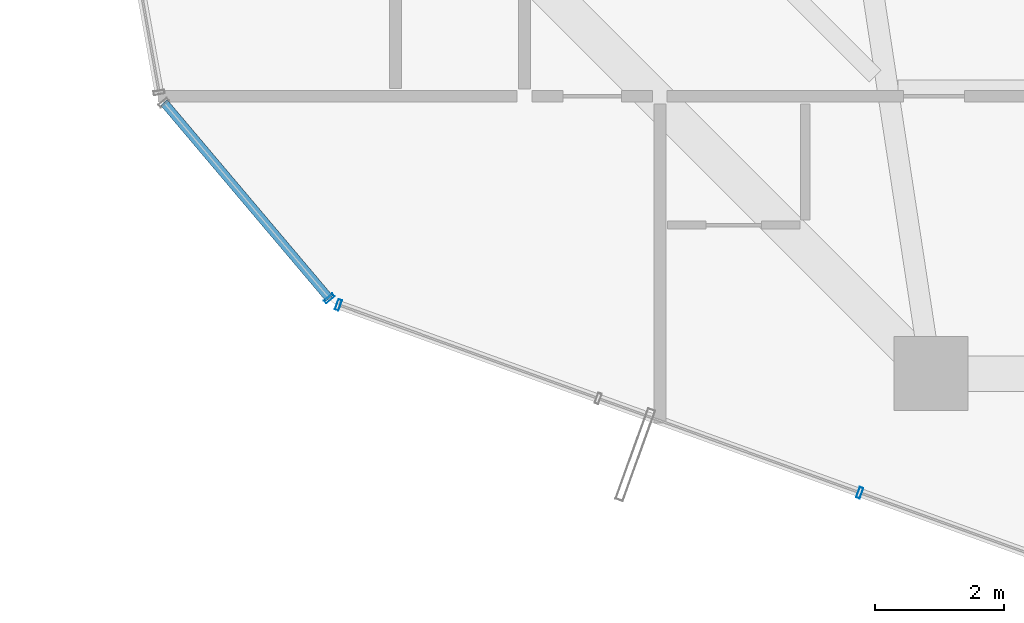
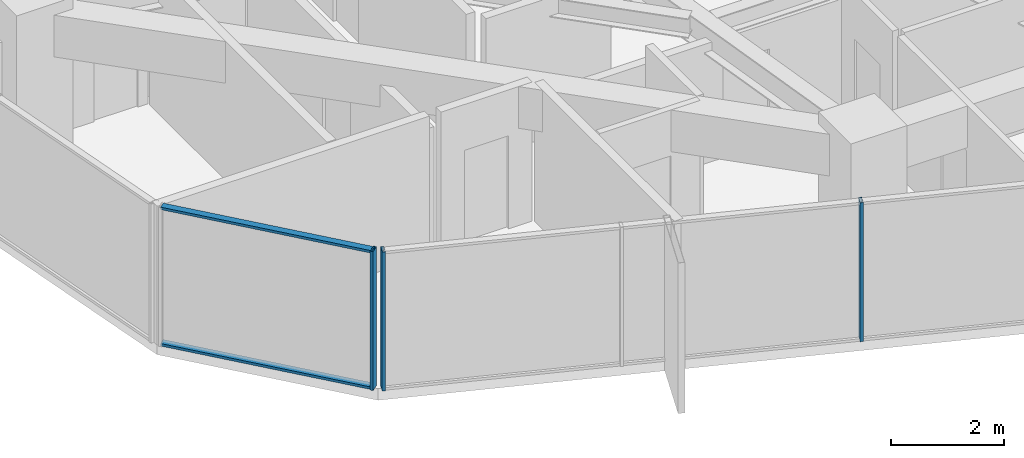
# One storey, part 2 of 36: 5 members, 2 elements without a shape of their own.
"""IFC4 building model written with IfcOpenShell, lengths in metres."""

from ifc_helpers import new_model, si_unit, direction, frame, origin, origin_2d, place, context, subcontext, project, spatial, hollow_rectangle, extrude, source, transform, mapped, material, layer, layer_set, material_profile, profile_set, type_object, element, aggregate, save


model = new_model("IFC4")

# Units and contexts
model_context = context("Model", 3, precision=1e-05, world=origin(), true_north=direction((0.0, 1.0)))
body_context = subcontext(model_context, "Body", "Model", "MODEL_VIEW")
ifc_project = project(units=[si_unit("LENGTHUNIT", "METRE"), si_unit("AREAUNIT", "SQUARE_METRE"), si_unit("VOLUMEUNIT", "CUBIC_METRE"), si_unit("PLANEANGLEUNIT", "RADIAN"), si_unit("MASSUNIT", "GRAM", prefix="KILO")], contexts=[model_context])

# Site, building, storey
site_placement = place(None, origin())
site = spatial("IfcSite", under=ifc_project, at=site_placement, CompositionType="ELEMENT")
building_placement = place(site_placement, origin())
building = spatial("IfcBuilding", under=site, at=building_placement, Name="Veraguas Prism Commons", CompositionType="ELEMENT")
storey_placement = place(building_placement, frame((0.0, 0.0, 163.050048828125)))
storey = spatial("IfcBuildingStorey", under=building, at=storey_placement, Name="L46", CompositionType="ELEMENT", Elevation=163.050048828125)

# Curtain wall, members
ifc_material = material(Name="Anodised aluminium EN AW-6063 T6", Category="aluminium")
ifc_layer = layer(ifc_material, 0.169921875, Name="Unitised Flush Curtain Wall Zone 2", Category="aluminium")
ifc_layer_set = layer_set([ifc_layer], Name="Anodised aluminium EN AW-6063 T6")
curtain_wall_type = type_object("IfcCurtainWallType", Name="Unitised Flush Curtain Wall Zone 2", PredefinedType="NOTDEFINED", material=ifc_layer_set)
curtain_wall_1_placement = place(storey_placement, origin())
curtain_wall_1 = element("IfcCurtainWall", 1, at=curtain_wall_1_placement, inside=storey, type_object=curtain_wall_type, Name="Tower Facade Curtain Wall L46-F4", PredefinedType="NOTDEFINED")
ifc_material_profile_1 = material_profile(ifc_material, hollow_rectangle(XDim=0.06005859375, YDim=0.169921875, WallThickness=0.00390625, at=origin_2d()), Name="AL60X170X4")
ifc_profile_set_1 = profile_set([ifc_material_profile_1], Name="Anodised aluminium EN AW-6063 T6")
member_type_1 = type_object("IfcMemberType", Name="Curtain Wall Mullion Lower AL 60x170x4", PredefinedType="MULLION", material=ifc_profile_set_1)
shared_shape_1 = source(origin(), body_context, "Body", "SweptSolid", [
    extrude(hollow_rectangle(XDim=0.06005859375, YDim=0.169921875, WallThickness=0.00390625, at=origin_2d()), origin(), (0.0, 0.0, 1.0), 3.0),
])
member_1_placement = place(storey_placement, frame((9.417236328125, 8.865478515625, 0.0), z_axis=(0.0, 0.0, 1.0), x_axis=(0.940760694435, -0.339071254763, 0.0)))
member_1 = element("IfcMember", 2, at=member_1_placement, type_object=member_type_1, Name="CW-Z2 Mullion 1", PredefinedType="MULLION", context=body_context, shape_type="MappedRepresentation", body=[
    mapped(shared_shape_1, transform((0.0, 0.0, 0.0), scale=1.0)),
])
member_2_placement = place(storey_placement, frame((17.495849609375, 5.953857421875, 0.0), z_axis=(0.0, 0.0, 1.0), x_axis=(0.940760694435, -0.339071254763, 0.0)))
member_2 = element("IfcMember", 3, at=member_2_placement, type_object=member_type_1, Name="CW-Z2 Mullion 3", PredefinedType="MULLION", context=body_context, shape_type="MappedRepresentation", body=[
    mapped(shared_shape_1, transform((0.0, 0.0, 0.0), scale=1.0)),
])
aggregate(curtain_wall_1, [member_1, member_2])

curtain_wall_2_placement = place(storey_placement, origin())
curtain_wall_2 = element("IfcCurtainWall", 4, at=curtain_wall_2_placement, inside=storey, type_object=curtain_wall_type, Name="Chamfer Curtain Wall L46-C4", PredefinedType="NOTDEFINED")
member_3_placement = place(storey_placement, frame((9.274658203125, 8.964599609375, 0.0), z_axis=(0.0, 0.0, 1.0), x_axis=(0.645187032881, -0.764024667535, 0.0)))
member_3 = element("IfcMember", 5, at=member_3_placement, type_object=member_type_1, Name="CW-Z2 Mullion 2", PredefinedType="MULLION", context=body_context, shape_type="MappedRepresentation", body=[
    mapped(shared_shape_1, transform((0.0, 0.0, 0.0), scale=1.0)),
])
ifc_material_profile_2 = material_profile(ifc_material, hollow_rectangle(XDim=0.054931640625, YDim=0.135009765625, WallThickness=0.0029296875, at=origin_2d()), Name="AL55X135X3")
ifc_profile_set_2 = profile_set([ifc_material_profile_2], Name="Anodised aluminium EN AW-6063 T6")
member_type_2 = type_object("IfcMemberType", Name="Curtain Wall Transom Standard AL 55x135x3", PredefinedType="USERDEFINED", material=ifc_profile_set_2)
shared_shape_2 = source(origin(), body_context, "Body", "SweptSolid", [
    extrude(hollow_rectangle(XDim=0.054931640625, YDim=0.135009765625, WallThickness=0.0029296875, at=origin_2d()), origin(), (0.0, 0.0, 1.0), 3.973388671875),
])
member_4_placement = place(storey_placement, frame((6.711181640625, 12.00048828125, 0.02734375), z_axis=(0.645156906082, -0.764050107346, 0.0), x_axis=(0.0, 0.0, 1.0)))
member_4 = element("IfcMember", 6, at=member_4_placement, type_object=member_type_2, Name="CW-Z2 Transom 1", ObjectType="TRANSOM", PredefinedType="USERDEFINED", context=body_context, shape_type="MappedRepresentation", body=[
    mapped(shared_shape_2, transform((0.0, 0.0, 0.0), scale=1.0)),
])
member_5_placement = place(storey_placement, frame((6.711181640625, 12.00048828125, 2.972412109375), z_axis=(0.645156906082, -0.764050107346, 0.0), x_axis=(0.0, 0.0, 1.0)))
member_5 = element("IfcMember", 7, at=member_5_placement, type_object=member_type_2, Name="CW-Z2 Transom 2", ObjectType="TRANSOM", PredefinedType="USERDEFINED", context=body_context, shape_type="MappedRepresentation", body=[
    mapped(shared_shape_2, transform((0.0, 0.0, 0.0), scale=1.0)),
])
aggregate(curtain_wall_2, [member_3, member_4, member_5])

save(model, "model.ifc")
